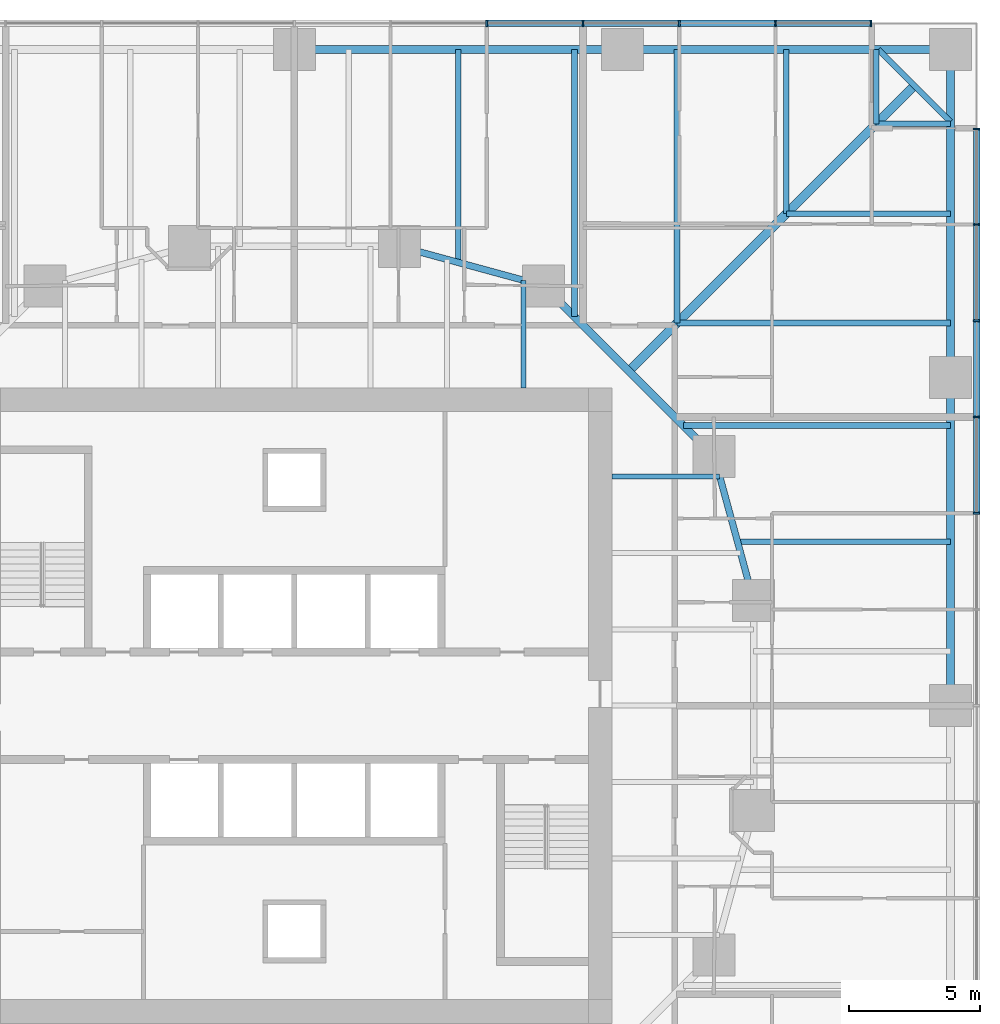
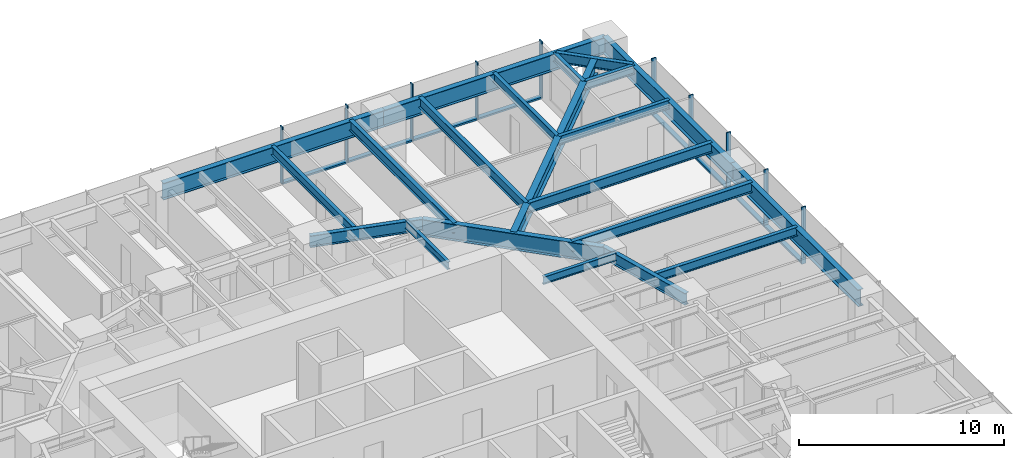
# One storey, part 6 of 16: 21 beams, 18 members, 2 elements without a shape of their own.
"""IFC4 building model written with IfcOpenShell, lengths in metres."""

from ifc_helpers import new_model, si_unit, direction, frame, origin, origin_2d, place, context, subcontext, project, spatial, rectangle, i_section, extrude, material, material_profile, profile_set, type_object, element, aggregate, save


model = new_model("IFC4")

# Units and contexts
model_context = context("Model", 3, precision=1e-05, world=origin(), true_north=direction((0.0, 1.0)))
body_context = subcontext(model_context, "Body", "Model", "MODEL_VIEW")
ifc_project = project(units=[si_unit("LENGTHUNIT", "METRE"), si_unit("AREAUNIT", "SQUARE_METRE"), si_unit("VOLUMEUNIT", "CUBIC_METRE"), si_unit("PLANEANGLEUNIT", "RADIAN"), si_unit("MASSUNIT", "GRAM", prefix="KILO")], contexts=[model_context])

# Site, building, storey
site_placement = place(None, origin())
site = spatial("IfcSite", under=ifc_project, at=site_placement, CompositionType="ELEMENT")
building_placement = place(site_placement, origin())
building = spatial("IfcBuilding", under=site, at=building_placement, Name="Torsade Residences", CompositionType="ELEMENT")
storey_placement = place(building_placement, frame((0.0, 0.0, 35.39990234375)))
storey = spatial("IfcBuildingStorey", under=building, at=storey_placement, Name="L09", CompositionType="ELEMENT", Elevation=35.39990234375)

# Beams
ifc_material_1 = material(Name="Steel grade 300", Category="steel")
ifc_material_profile_1 = material_profile(ifc_material_1, i_section(OverallWidth=0.35009765625, OverallDepth=0.909912109375, WebThickness=0.011962890625, FlangeThickness=0.02490234375, at=origin_2d()), Name="900WB218")
ifc_profile_set_1 = profile_set([ifc_material_profile_1], Name="Steel grade 300")
beam_type_1 = type_object("IfcBeamType", Name="CORNER GIRDER 900WB218", PredefinedType="BEAM", material=ifc_profile_set_1)
beam_1_placement = place(storey_placement, frame((63.625, 53.625, 2.795166015625), z_axis=(-0.707106781187, -0.707106781187, 0.0), x_axis=(0.707106781187, -0.707106781187, 0.0)))
element("IfcBeam", 1, at=beam_1_placement, inside=storey, type_object=beam_type_1, Name="Corner girder 09 L10", PredefinedType="BEAM", context=body_context, shape_type="SweptSolid", body=[
    extrude(i_section(OverallWidth=0.35009765625, OverallDepth=0.909912109375, WebThickness=0.011962890625, FlangeThickness=0.02490234375, at=origin_2d()), origin(), (0.0, 0.0, 1.0), 15.379638671875),
])
ifc_material_2 = material(Name="Steel grade 300", Category="steel")
ifc_material_profile_2 = material_profile(ifc_material_2, i_section(OverallWidth=0.22802734375, OverallDepth=0.60205078125, WebThickness=0.010498046875, FlangeThickness=0.014892578125, FilletRadius=0.013916015625, at=origin_2d()), Name="610UB101")
ifc_profile_set_2 = profile_set([ifc_material_profile_2], Name="Steel grade 300")
beam_type_2 = type_object("IfcBeamType", Name="CORNER TRIMMER 610UB101", PredefinedType="BEAM", material=ifc_profile_set_2)
beam_2_placement = place(storey_placement, frame((62.25, 55.0, 2.94921875), z_axis=(0.707106781187, -0.707106781187, 0.0), x_axis=(0.707106781187, 0.707106781187, 0.0)))
element("IfcBeam", 2, at=beam_2_placement, inside=storey, type_object=beam_type_2, Name="Corner trimmer 09 L10", PredefinedType="BEAM", context=body_context, shape_type="SweptSolid", body=[
    extrude(i_section(OverallWidth=0.22802734375, OverallDepth=0.60205078125, WebThickness=0.010498046875, FlangeThickness=0.014892578125, FilletRadius=0.013916015625, at=origin_2d()), origin(), (0.0, 0.0, 1.0), 3.88916015625),
])

# Curtain wall, members
ifc_material_3 = material(Name="Aluminium and glass", Category="aluminium")
curtain_wall_type = type_object("IfcCurtainWallType", Name="FRITTED GLASS CURTAIN WALL LOW ZONE", PredefinedType="NOTDEFINED", material=ifc_material_3)
curtain_wall_1_placement = place(storey_placement, origin())
curtain_wall_1 = element("IfcCurtainWall", 3, at=curtain_wall_1_placement, inside=storey, type_object=curtain_wall_type, Name="Curtain wall L09 face 4", PredefinedType="NOTDEFINED")
ifc_material_4 = material(Name="Aluminium mullion", Category="aluminium")
ifc_material_profile_3 = material_profile(ifc_material_4, rectangle(XDim=0.25, YDim=0.06494140625, at=origin_2d()), Name="CURTAIN WALL MULLION 250x65")
ifc_profile_set_3 = profile_set([ifc_material_profile_3], Name="Aluminium mullion")
member_type_1 = type_object("IfcMemberType", Name="CURTAIN WALL MULLION 250x65", PredefinedType="MULLION", material=ifc_profile_set_3)
member_1_placement = place(storey_placement, frame((66.0, 37.333251953125, 0.0), z_axis=(0.0, 0.0, 1.0), x_axis=(-1.0, 0.0, 0.0)))
member_1 = element("IfcMember", 4, at=member_1_placement, type_object=member_type_1, Name="Mullion 9", PredefinedType="MULLION", context=body_context, shape_type="SweptSolid", body=[
    extrude(rectangle(XDim=0.25, YDim=0.06494140625, at=origin_2d()), origin(), (0.0, 0.0, 1.0), 3.400146484375),
])
member_2_placement = place(storey_placement, frame((66.0, 41.0, 0.0), z_axis=(0.0, 0.0, 1.0), x_axis=(-1.0, 0.0, 0.0)))
member_2 = element("IfcMember", 5, at=member_2_placement, type_object=member_type_1, Name="Mullion 10", PredefinedType="MULLION", context=body_context, shape_type="SweptSolid", body=[
    extrude(rectangle(XDim=0.25, YDim=0.06494140625, at=origin_2d()), origin(), (0.0, 0.0, 1.0), 3.400146484375),
])
member_3_placement = place(storey_placement, frame((66.0, 44.666748046875, 0.0), z_axis=(0.0, 0.0, 1.0), x_axis=(-1.0, 0.0, 0.0)))
member_3 = element("IfcMember", 6, at=member_3_placement, type_object=member_type_1, Name="Mullion 11", PredefinedType="MULLION", context=body_context, shape_type="SweptSolid", body=[
    extrude(rectangle(XDim=0.25, YDim=0.06494140625, at=origin_2d()), origin(), (0.0, 0.0, 1.0), 3.400146484375),
])
member_4_placement = place(storey_placement, frame((66.0, 48.333251953125, 0.0), z_axis=(0.0, 0.0, 1.0), x_axis=(-1.0, 0.0, 0.0)))
member_4 = element("IfcMember", 7, at=member_4_placement, type_object=member_type_1, Name="Mullion 12", PredefinedType="MULLION", context=body_context, shape_type="SweptSolid", body=[
    extrude(rectangle(XDim=0.25, YDim=0.06494140625, at=origin_2d()), origin(), (0.0, 0.0, 1.0), 3.400146484375),
])
member_5_placement = place(storey_placement, frame((66.0, 51.967529296875, 0.0), z_axis=(0.0, 0.0, 1.0), x_axis=(-1.0, 0.0, 0.0)))
member_5 = element("IfcMember", 8, at=member_5_placement, type_object=member_type_1, Name="Mullion 13", PredefinedType="MULLION", context=body_context, shape_type="SweptSolid", body=[
    extrude(rectangle(XDim=0.25, YDim=0.06494140625, at=origin_2d()), origin(), (0.0, 0.0, 1.0), 3.400146484375),
])

curtain_wall_2_placement = place(storey_placement, origin())
curtain_wall_2 = element("IfcCurtainWall", 9, at=curtain_wall_2_placement, inside=storey, type_object=curtain_wall_type, Name="Curtain wall L09 face 7", PredefinedType="NOTDEFINED")
member_6_placement = place(storey_placement, frame((61.967529296875, 56.0, 0.0), z_axis=(0.0, 0.0, 1.0), x_axis=(0.0, -1.0, 0.0)))
member_6 = element("IfcMember", 10, at=member_6_placement, type_object=member_type_1, Name="Mullion 1", PredefinedType="MULLION", context=body_context, shape_type="SweptSolid", body=[
    extrude(rectangle(XDim=0.25, YDim=0.06494140625, at=origin_2d()), origin(), (0.0, 0.0, 1.0), 3.400146484375),
])
member_7_placement = place(storey_placement, frame((58.333251953125, 56.0, 0.0), z_axis=(0.0, 0.0, 1.0), x_axis=(0.0, -1.0, 0.0)))
member_7 = element("IfcMember", 11, at=member_7_placement, type_object=member_type_1, Name="Mullion 2", PredefinedType="MULLION", context=body_context, shape_type="SweptSolid", body=[
    extrude(rectangle(XDim=0.25, YDim=0.06494140625, at=origin_2d()), origin(), (0.0, 0.0, 1.0), 3.400146484375),
])
member_8_placement = place(storey_placement, frame((54.666748046875, 56.0, 0.0), z_axis=(0.0, 0.0, 1.0), x_axis=(0.0, -1.0, 0.0)))
member_8 = element("IfcMember", 12, at=member_8_placement, type_object=member_type_1, Name="Mullion 3", PredefinedType="MULLION", context=body_context, shape_type="SweptSolid", body=[
    extrude(rectangle(XDim=0.25, YDim=0.06494140625, at=origin_2d()), origin(), (0.0, 0.0, 1.0), 3.400146484375),
])
member_9_placement = place(storey_placement, frame((51.0, 56.0, 0.0), z_axis=(0.0, 0.0, 1.0), x_axis=(0.0, -1.0, 0.0)))
member_9 = element("IfcMember", 13, at=member_9_placement, type_object=member_type_1, Name="Mullion 4", PredefinedType="MULLION", context=body_context, shape_type="SweptSolid", body=[
    extrude(rectangle(XDim=0.25, YDim=0.06494140625, at=origin_2d()), origin(), (0.0, 0.0, 1.0), 3.400146484375),
])
member_10_placement = place(storey_placement, frame((47.333251953125, 56.0, 0.0), z_axis=(0.0, 0.0, 1.0), x_axis=(0.0, -1.0, 0.0)))
member_10 = element("IfcMember", 14, at=member_10_placement, type_object=member_type_1, Name="Mullion 5", PredefinedType="MULLION", context=body_context, shape_type="SweptSolid", body=[
    extrude(rectangle(XDim=0.25, YDim=0.06494140625, at=origin_2d()), origin(), (0.0, 0.0, 1.0), 3.400146484375),
])

# Member
ifc_material_5 = material(Name="Aluminium transom", Category="aluminium")
ifc_material_profile_4 = material_profile(ifc_material_5, rectangle(XDim=0.25, YDim=0.10009765625, at=origin_2d()), Name="CURTAIN WALL TRANSOM 250x100")
ifc_profile_set_4 = profile_set([ifc_material_profile_4], Name="Aluminium transom")
member_type_2 = type_object("IfcMemberType", Name="CURTAIN WALL TRANSOM 250x100", PredefinedType="USERDEFINED", material=ifc_profile_set_4)
member_11_placement = place(storey_placement, frame((66.0, 37.36572265625, 0.050048828125), z_axis=(0.0, 1.0, 0.0), x_axis=(-1.0, 0.0, 0.0)))
member_11 = element("IfcMember", 15, at=member_11_placement, type_object=member_type_2, Name="Transom 9.1", ObjectType="TRANSOM", PredefinedType="USERDEFINED", context=body_context, shape_type="SweptSolid", body=[
    extrude(rectangle(XDim=0.25, YDim=0.10009765625, at=origin_2d()), origin(), (0.0, 0.0, 1.0), 3.601806640625),
])

member_12_placement = place(storey_placement, frame((66.0, 41.032470703125, 0.050048828125), z_axis=(0.0, 1.0, 0.0), x_axis=(-1.0, 0.0, 0.0)))
member_12 = element("IfcMember", 16, at=member_12_placement, type_object=member_type_2, Name="Transom 10.1", ObjectType="TRANSOM", PredefinedType="USERDEFINED", context=body_context, shape_type="SweptSolid", body=[
    extrude(rectangle(XDim=0.25, YDim=0.10009765625, at=origin_2d()), origin(), (0.0, 0.0, 1.0), 3.601806640625),
])

member_13_placement = place(storey_placement, frame((66.0, 44.69921875, 0.050048828125), z_axis=(0.0, 1.0, 0.0), x_axis=(-1.0, 0.0, 0.0)))
member_13 = element("IfcMember", 17, at=member_13_placement, type_object=member_type_2, Name="Transom 11.1", ObjectType="TRANSOM", PredefinedType="USERDEFINED", context=body_context, shape_type="SweptSolid", body=[
    extrude(rectangle(XDim=0.25, YDim=0.10009765625, at=origin_2d()), origin(), (0.0, 0.0, 1.0), 3.6015625),
])

member_14_placement = place(storey_placement, frame((66.0, 48.36572265625, 0.050048828125), z_axis=(0.0, 1.0, 0.0), x_axis=(-1.0, 0.0, 0.0)))
member_14 = element("IfcMember", 18, at=member_14_placement, type_object=member_type_2, Name="Transom 12.1", ObjectType="TRANSOM", PredefinedType="USERDEFINED", context=body_context, shape_type="SweptSolid", body=[
    extrude(rectangle(XDim=0.25, YDim=0.10009765625, at=origin_2d()), origin(), (0.0, 0.0, 1.0), 3.5693359375),
])

aggregate(curtain_wall_1, [member_1, member_2, member_3, member_4, member_5, member_11, member_12, member_13, member_14])

member_15_placement = place(storey_placement, frame((61.93505859375, 56.0, 0.050048828125), z_axis=(-1.0, 0.0, 0.0), x_axis=(0.0, -1.0, 0.0)))
member_15 = element("IfcMember", 19, at=member_15_placement, type_object=member_type_2, Name="Transom 1.1", ObjectType="TRANSOM", PredefinedType="USERDEFINED", context=body_context, shape_type="SweptSolid", body=[
    extrude(rectangle(XDim=0.25, YDim=0.10009765625, at=origin_2d()), origin(), (0.0, 0.0, 1.0), 3.5693359375),
])

member_16_placement = place(storey_placement, frame((58.30078125, 56.0, 0.050048828125), z_axis=(-1.0, 0.0, 0.0), x_axis=(0.0, -1.0, 0.0)))
member_16 = element("IfcMember", 20, at=member_16_placement, type_object=member_type_2, Name="Transom 2.1", ObjectType="TRANSOM", PredefinedType="USERDEFINED", context=body_context, shape_type="SweptSolid", body=[
    extrude(rectangle(XDim=0.25, YDim=0.10009765625, at=origin_2d()), origin(), (0.0, 0.0, 1.0), 3.6015625),
])

member_17_placement = place(storey_placement, frame((54.63427734375, 56.0, 0.050048828125), z_axis=(-1.0, 0.0, 0.0), x_axis=(0.0, -1.0, 0.0)))
member_17 = element("IfcMember", 21, at=member_17_placement, type_object=member_type_2, Name="Transom 3.1", ObjectType="TRANSOM", PredefinedType="USERDEFINED", context=body_context, shape_type="SweptSolid", body=[
    extrude(rectangle(XDim=0.25, YDim=0.10009765625, at=origin_2d()), origin(), (0.0, 0.0, 1.0), 3.601806640625),
])

member_18_placement = place(storey_placement, frame((50.967529296875, 56.0, 0.050048828125), z_axis=(-1.0, 0.0, 0.0), x_axis=(0.0, -1.0, 0.0)))
member_18 = element("IfcMember", 22, at=member_18_placement, type_object=member_type_2, Name="Transom 4.1", ObjectType="TRANSOM", PredefinedType="USERDEFINED", context=body_context, shape_type="SweptSolid", body=[
    extrude(rectangle(XDim=0.25, YDim=0.10009765625, at=origin_2d()), origin(), (0.0, 0.0, 1.0), 3.601806640625),
])

aggregate(curtain_wall_2, [member_6, member_7, member_8, member_9, member_10, member_15, member_16, member_17, member_18])

# Beams
ifc_material_6 = material(Name="Steel grade 300", Category="steel")
ifc_material_profile_5 = material_profile(ifc_material_6, i_section(OverallWidth=0.300048828125, OverallDepth=1.0, WebThickness=0.01611328125, FlangeThickness=0.028076171875, at=origin_2d()), Name="1000WB215")
ifc_profile_set_5 = profile_set([ifc_material_profile_5], Name="Steel grade 300")
beam_type_3 = type_object("IfcBeamType", Name="EDGE BEAM 1000WB215", PredefinedType="SPANDREL", material=ifc_profile_set_5)
for number, where, z_axis, x_axis, name in (
    (23, (65.0, 30.0, 2.75), (0.0, 1.0, 0.0), (-1.0, 0.0, 0.0), "Edge beam 07 L10"),
    (24, (65.0, 42.5, 2.75), (0.0, 1.0, 0.0), (-1.0, 0.0, 0.0), "Edge beam 08 L10"),
    (25, (65.0, 55.0, 2.75), (-1.0, 0.0, 0.0), (0.0, -1.0, 0.0), "Edge beam 09 L10"),
    (26, (52.5, 55.0, 2.75), (-1.0, 0.0, 0.0), (0.0, -1.0, 0.0), "Edge beam 10 L10"),
):
    element("IfcBeam", number, at=place(storey_placement, frame(where, z_axis=z_axis, x_axis=x_axis)), inside=storey, type_object=beam_type_3, Name=name, PredefinedType="SPANDREL", context=body_context, shape_type="SweptSolid", body=[
        extrude(i_section(OverallWidth=0.300048828125, OverallDepth=1.0, WebThickness=0.01611328125, FlangeThickness=0.028076171875, at=origin_2d()), origin(), (0.0, 0.0, 1.0), 12.5),
    ])
ifc_material_7 = material(Name="Steel grade 300", Category="steel")
ifc_material_profile_6 = material_profile(ifc_material_7, i_section(OverallWidth=0.18994140625, OverallDepth=0.4541015625, WebThickness=0.008544921875, FlangeThickness=0.0126953125, FilletRadius=0.011474609375, at=origin_2d()), Name="460UB67.1")
ifc_profile_set_6 = profile_set([ifc_material_profile_6], Name="Steel grade 300")
beam_type_4 = type_object("IfcBeamType", Name="INNER FLOOR BEAM 460UB67.1", PredefinedType="JOIST", material=ifc_profile_set_6)
for number, where, z_axis, x_axis, name in (
    (27, (48.737548828125, 42.10009765625, 3.023193359375), (0.0, 1.0, 0.0), (-1.0, 0.0, 0.0), "Inner floor beam IN07 L10"),
    (28, (52.10009765625, 38.737548828125, 3.023193359375), (1.0, 0.0, 0.0), (0.0, 1.0, 0.0), "Inner floor beam IE07 L10"),
):
    element("IfcBeam", number, at=place(storey_placement, frame(where, z_axis=z_axis, x_axis=x_axis)), inside=storey, type_object=beam_type_4, Name=name, PredefinedType="JOIST", context=body_context, shape_type="SweptSolid", body=[
        extrude(i_section(OverallWidth=0.18994140625, OverallDepth=0.4541015625, WebThickness=0.008544921875, FlangeThickness=0.0126953125, FilletRadius=0.011474609375, at=origin_2d()), origin(), (0.0, 0.0, 1.0), 4.10791015625),
    ])
ifc_material_8 = material(Name="Steel grade 300", Category="steel")
ifc_material_profile_7 = material_profile(ifc_material_8, i_section(OverallWidth=0.300048828125, OverallDepth=1.0, WebThickness=0.01611328125, FlangeThickness=0.028076171875, at=origin_2d()), Name="1000WB215")
ifc_profile_set_7 = profile_set([ifc_material_profile_7], Name="Steel grade 300")
beam_type_5 = type_object("IfcBeamType", Name="RING CORNER GIRDER 1000WB215", PredefinedType="BEAM", material=ifc_profile_set_7)
beam_3_placement = place(storey_placement, frame((56.0, 39.5, 2.75), z_axis=(-0.707106781187, 0.707106781187, 0.0), x_axis=(-0.707106781187, -0.707106781187, 0.0)))
element("IfcBeam", 29, at=beam_3_placement, inside=storey, type_object=beam_type_5, Name="Ring girder IR03 L10", PredefinedType="BEAM", context=body_context, shape_type="SweptSolid", body=[
    extrude(i_section(OverallWidth=0.300048828125, OverallDepth=1.0, WebThickness=0.01611328125, FlangeThickness=0.028076171875, at=origin_2d()), origin(), (0.0, 0.0, 1.0), 9.1923828125),
])
ifc_material_9 = material(Name="Steel grade 300", Category="steel")
ifc_material_profile_8 = material_profile(ifc_material_9, i_section(OverallWidth=0.25, OverallDepth=0.699951171875, WebThickness=0.010009765625, FlangeThickness=0.02001953125, at=origin_2d()), Name="700WB130")
ifc_profile_set_8 = profile_set([ifc_material_profile_8], Name="Steel grade 300")
beam_type_6 = type_object("IfcBeamType", Name="RING GIRDER 700WB130", PredefinedType="BEAM", material=ifc_profile_set_8)
for number, where, z_axis, x_axis, name in (
    (30, (57.5, 34.0, 2.900146484375), (-0.263117405792, 0.964763821238, 0.0), (-0.964763821238, -0.263117405792, 0.0), "Ring girder IR02 L10"),
    (31, (49.5, 46.0, 2.900146484375), (-0.964763821238, 0.263117405792, 0.0), (-0.263117405792, -0.964763821238, 0.0), "Ring girder IR04 L10"),
):
    element("IfcBeam", number, at=place(storey_placement, frame(where, z_axis=z_axis, x_axis=x_axis)), inside=storey, type_object=beam_type_6, Name=name, PredefinedType="BEAM", context=body_context, shape_type="SweptSolid", body=[
        extrude(i_section(OverallWidth=0.25, OverallDepth=0.699951171875, WebThickness=0.010009765625, FlangeThickness=0.02001953125, at=origin_2d()), origin(), (0.0, 0.0, 1.0), 5.700927734375),
    ])
ifc_material_10 = material(Name="Steel grade 300", Category="steel")
ifc_material_profile_9 = material_profile(ifc_material_10, i_section(OverallWidth=0.208984375, OverallDepth=0.528076171875, WebThickness=0.009521484375, FlangeThickness=0.01318359375, FilletRadius=0.013916015625, at=origin_2d()), Name="530UB82.0")
ifc_profile_set_9 = profile_set([ifc_material_profile_9], Name="Steel grade 300")
beam_type_7 = type_object("IfcBeamType", Name="SECONDARY BEAM 530UB82.0", PredefinedType="JOIST", material=ifc_profile_set_9)
beam_4_placement = place(storey_placement, frame((65.0, 36.25, 2.986083984375), z_axis=(-1.0, 0.0, 0.0), x_axis=(0.0, -1.0, 0.0)))
element("IfcBeam", 32, at=beam_4_placement, inside=storey, type_object=beam_type_7, Name="Floor beam FE08 L10", PredefinedType="JOIST", context=body_context, shape_type="SweptSolid", body=[
    extrude(i_section(OverallWidth=0.208984375, OverallDepth=0.528076171875, WebThickness=0.009521484375, FlangeThickness=0.01318359375, FilletRadius=0.013916015625, at=origin_2d()), origin(), (0.0, 0.0, 1.0), 8.113525390625),
])
beam_5_placement = place(storey_placement, frame((65.0, 48.75, 2.986083984375), z_axis=(-1.0, 0.0, 0.0), x_axis=(0.0, -1.0, 0.0)))
element("IfcBeam", 33, at=beam_5_placement, inside=storey, type_object=beam_type_7, Name="Floor beam FE11 L10", PredefinedType="JOIST", context=body_context, shape_type="SweptSolid", body=[
    extrude(i_section(OverallWidth=0.208984375, OverallDepth=0.528076171875, WebThickness=0.009521484375, FlangeThickness=0.01318359375, FilletRadius=0.013916015625, at=origin_2d()), origin(), (0.0, 0.0, 1.0), 6.25),
])
for number, where, z_axis, x_axis, name in (
    (34, (65.0, 52.166748046875, 2.986083984375), (-1.0, 0.0, 0.0), (0.0, -1.0, 0.0), "Floor beam FE12 L10"),
    (35, (62.166748046875, 55.0, 2.986083984375), (0.0, -1.0, 0.0), (1.0, 0.0, 0.0), "Floor beam FN01 L10"),
):
    element("IfcBeam", number, at=place(storey_placement, frame(where, z_axis=z_axis, x_axis=x_axis)), inside=storey, type_object=beam_type_7, Name=name, PredefinedType="JOIST", context=body_context, shape_type="SweptSolid", body=[
        extrude(i_section(OverallWidth=0.208984375, OverallDepth=0.528076171875, WebThickness=0.009521484375, FlangeThickness=0.01318359375, FilletRadius=0.013916015625, at=origin_2d()), origin(), (0.0, 0.0, 1.0), 2.833251953125),
    ])
beam_6_placement = place(storey_placement, frame((58.75, 55.0, 2.986083984375), z_axis=(0.0, -1.0, 0.0), x_axis=(1.0, 0.0, 0.0)))
element("IfcBeam", 36, at=beam_6_placement, inside=storey, type_object=beam_type_7, Name="Floor beam FN02 L10", PredefinedType="JOIST", context=body_context, shape_type="SweptSolid", body=[
    extrude(i_section(OverallWidth=0.208984375, OverallDepth=0.528076171875, WebThickness=0.009521484375, FlangeThickness=0.01318359375, FilletRadius=0.013916015625, at=origin_2d()), origin(), (0.0, 0.0, 1.0), 6.25),
])
beam_7_placement = place(storey_placement, frame((46.25, 55.0, 2.986083984375), z_axis=(0.0, -1.0, 0.0), x_axis=(1.0, 0.0, 0.0)))
element("IfcBeam", 37, at=beam_7_placement, inside=storey, type_object=beam_type_7, Name="Floor beam FN05 L10", PredefinedType="JOIST", context=body_context, shape_type="SweptSolid", body=[
    extrude(i_section(OverallWidth=0.208984375, OverallDepth=0.528076171875, WebThickness=0.009521484375, FlangeThickness=0.01318359375, FilletRadius=0.013916015625, at=origin_2d()), origin(), (0.0, 0.0, 1.0), 8.113525390625),
])
ifc_material_11 = material(Name="Steel grade 300", Category="steel")
ifc_material_profile_10 = material_profile(ifc_material_11, i_section(OverallWidth=0.22900390625, OverallDepth=0.612060546875, WebThickness=0.011962890625, FlangeThickness=0.01953125, FilletRadius=0.013916015625, at=origin_2d()), Name="610UB125")
ifc_profile_set_10 = profile_set([ifc_material_profile_10], Name="Steel grade 300")
beam_type_8 = type_object("IfcBeamType", Name="SECONDARY BEAM 610UB125", PredefinedType="JOIST", material=ifc_profile_set_10)
beam_8_placement = place(storey_placement, frame((65.0, 40.666748046875, 2.944091796875), z_axis=(-1.0, 0.0, 0.0), x_axis=(0.0, -1.0, 0.0)))
element("IfcBeam", 38, at=beam_8_placement, inside=storey, type_object=beam_type_8, Name="Floor beam FE09 L10", PredefinedType="JOIST", context=body_context, shape_type="SweptSolid", body=[
    extrude(i_section(OverallWidth=0.22900390625, OverallDepth=0.612060546875, WebThickness=0.011962890625, FlangeThickness=0.01953125, FilletRadius=0.013916015625, at=origin_2d()), origin(), (0.0, 0.0, 1.0), 10.166748046875),
])
for number, where, z_axis, x_axis, name in (
    (39, (65.0, 44.583251953125, 2.944091796875), (-1.0, 0.0, 0.0), (0.0, -1.0, 0.0), "Floor beam FE10 L10"),
    (40, (54.583251953125, 55.0, 2.944091796875), (0.0, -1.0, 0.0), (1.0, 0.0, 0.0), "Floor beam FN03 L10"),
):
    element("IfcBeam", number, at=place(storey_placement, frame(where, z_axis=z_axis, x_axis=x_axis)), inside=storey, type_object=beam_type_8, Name=name, PredefinedType="JOIST", context=body_context, shape_type="SweptSolid", body=[
        extrude(i_section(OverallWidth=0.22900390625, OverallDepth=0.612060546875, WebThickness=0.011962890625, FlangeThickness=0.01953125, FilletRadius=0.013916015625, at=origin_2d()), origin(), (0.0, 0.0, 1.0), 10.416748046875),
    ])
beam_9_placement = place(storey_placement, frame((50.666748046875, 55.0, 2.944091796875), z_axis=(0.0, -1.0, 0.0), x_axis=(1.0, 0.0, 0.0)))
element("IfcBeam", 41, at=beam_9_placement, inside=storey, type_object=beam_type_8, Name="Floor beam FN04 L10", PredefinedType="JOIST", context=body_context, shape_type="SweptSolid", body=[
    extrude(i_section(OverallWidth=0.22900390625, OverallDepth=0.612060546875, WebThickness=0.011962890625, FlangeThickness=0.01953125, FilletRadius=0.013916015625, at=origin_2d()), origin(), (0.0, 0.0, 1.0), 10.166748046875),
])

save(model, "model.ifc")
